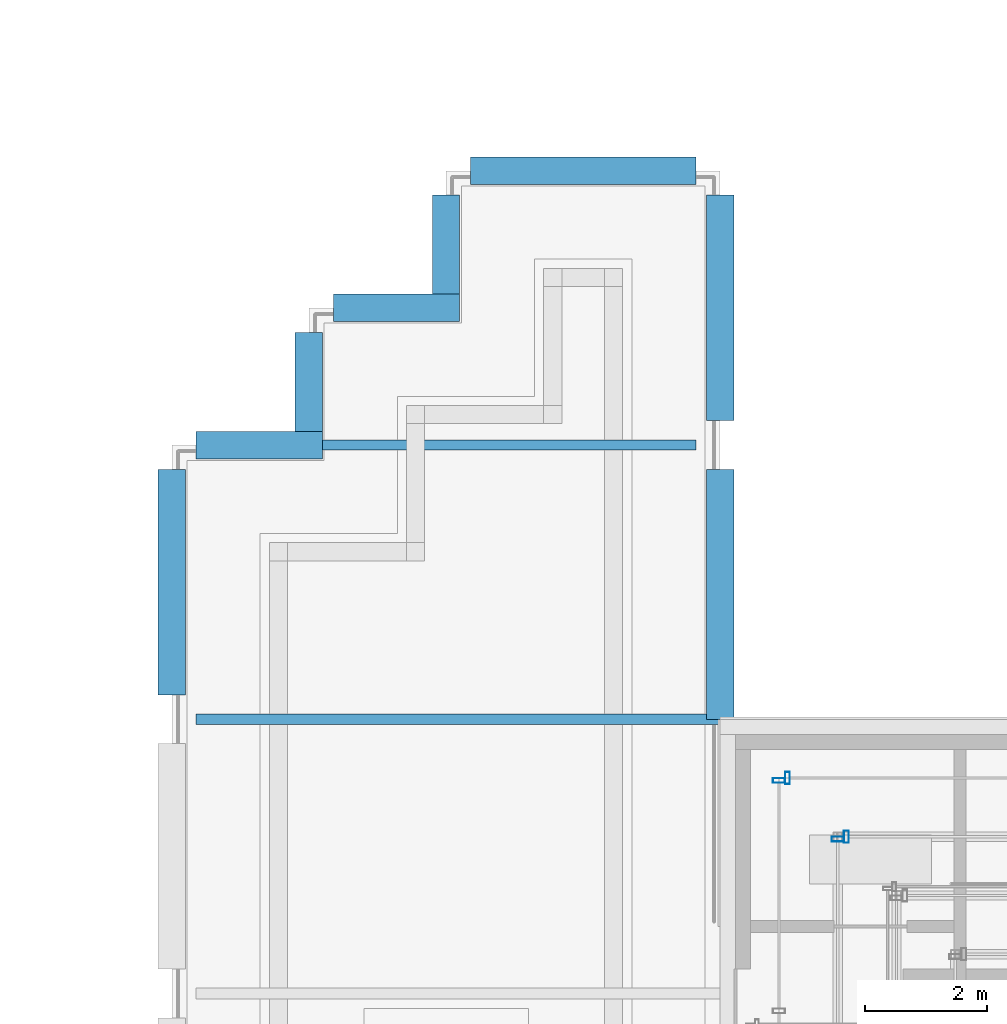
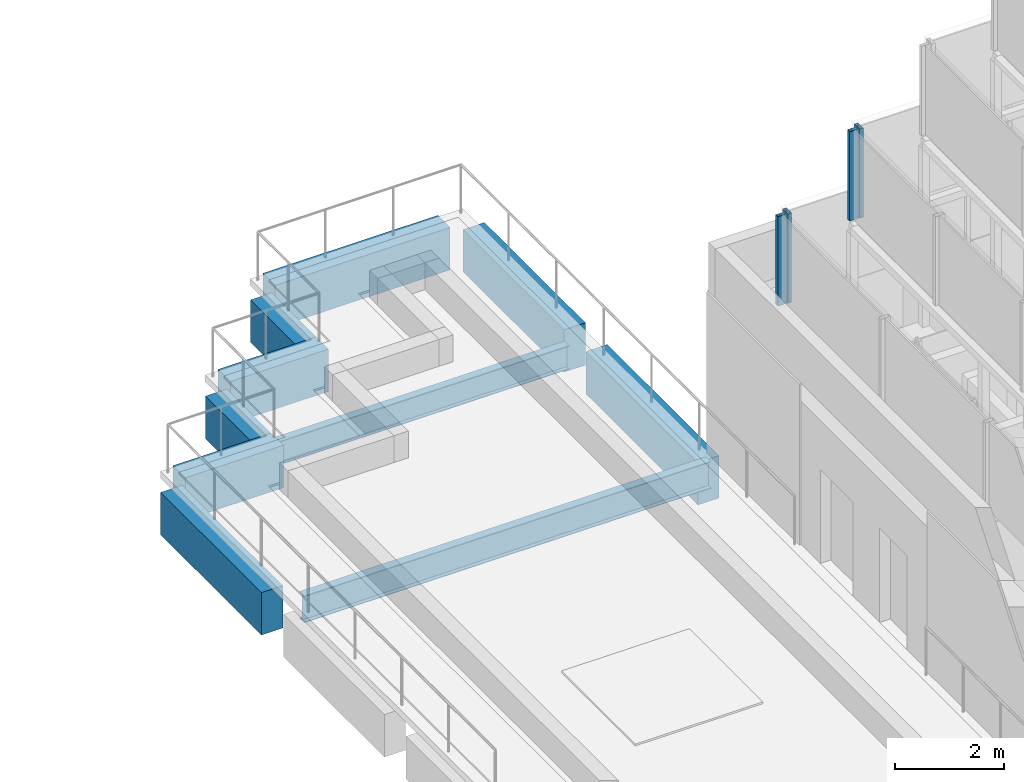
# One storey, part 46 of 62: 10 beams, 4 members, 4 elements without a shape of their own.
"""IFC4 building model written with IfcOpenShell, lengths in metres."""

from ifc_helpers import new_model, si_unit, direction, frame, origin, origin_2d, place, context, subcontext, project, spatial, rectangle, hollow_rectangle, i_section, extrude, material, material_profile, profile_set, type_object, element, aggregate, save


model = new_model("IFC4")

# Units and contexts
model_context = context("Model", 3, precision=1e-05, world=origin(), true_north=direction((0.0, 1.0)))
body_context = subcontext(model_context, "Body", "Model", "MODEL_VIEW")
ifc_project = project(units=[si_unit("LENGTHUNIT", "METRE"), si_unit("AREAUNIT", "SQUARE_METRE"), si_unit("VOLUMEUNIT", "CUBIC_METRE"), si_unit("PLANEANGLEUNIT", "RADIAN"), si_unit("MASSUNIT", "GRAM", prefix="KILO")], contexts=[model_context])

# Site, building, storey
site_placement = place(None, origin())
site = spatial("IfcSite", under=ifc_project, at=site_placement, CompositionType="ELEMENT")
building_placement = place(site_placement, origin())
building = spatial("IfcBuilding", under=site, at=building_placement, Name="Altepetl Exchange Towers", CompositionType="ELEMENT")
storey_placement = place(building_placement, frame((0.0, 0.0, 210.0)))
storey = spatial("IfcBuildingStorey", under=building, at=storey_placement, Name="L53", CompositionType="ELEMENT", Elevation=210.0)

# Beams
ifc_material_1 = material(Name="Steel S355", Category="steel")
ifc_material_profile_1 = material_profile(ifc_material_1, i_section(OverallWidth=0.166015625, OverallDepth=0.529052734375, WebThickness=0.009765625, FlangeThickness=0.013671875, at=origin_2d()), Name="W21X50")
ifc_profile_set_1 = profile_set([ifc_material_profile_1], Name="Steel S355")
beam_type_1 = type_object("IfcBeamType", Name="Floor beam W21X50", PredefinedType="BEAM", material=ifc_profile_set_1)
beam_1_placement = place(storey_placement, frame((96.97509765625, 54.0, -0.41455078125), z_axis=(1.0, 0.0, 0.0), x_axis=(0.0, 1.0, 0.0)))
element("IfcBeam", 1, at=beam_1_placement, inside=storey, type_object=beam_type_1, Name="bm:B:L53:t007", PredefinedType="BEAM", context=body_context, shape_type="SweptSolid", body=[
    extrude(i_section(OverallWidth=0.166015625, OverallDepth=0.529052734375, WebThickness=0.009765625, FlangeThickness=0.013671875, at=origin_2d()), origin(), (0.0, 0.0, 1.0), 6.125),
])
ifc_material_profile_2 = material_profile(ifc_material_1, i_section(OverallWidth=0.177978515625, OverallDepth=0.59912109375, WebThickness=0.010009765625, FlangeThickness=0.0126953125, at=origin_2d()), Name="W24X55")
ifc_profile_set_2 = profile_set([ifc_material_profile_2], Name="Steel S355")
beam_type_2 = type_object("IfcBeamType", Name="Floor beam W24X55", PredefinedType="BEAM", material=ifc_profile_set_2)
beam_2_placement = place(storey_placement, frame((94.89990234375, 49.5, -0.449462890625), z_axis=(1.0, 0.0, 0.0), x_axis=(0.0, 1.0, 0.0)))
element("IfcBeam", 2, at=beam_2_placement, inside=storey, type_object=beam_type_2, Name="bm:B:L53:t006", PredefinedType="BEAM", context=body_context, shape_type="SweptSolid", body=[
    extrude(i_section(OverallWidth=0.177978515625, OverallDepth=0.59912109375, WebThickness=0.010009765625, FlangeThickness=0.0126953125, at=origin_2d()), origin(), (0.0, 0.0, 1.0), 8.60009765625),
])

# Curtain wall, member
ifc_material_2 = material(Name="Aluminium 6063-T6 glazing", Category="aluminium")
curtain_wall_type = type_object("IfcCurtainWallType", Name="Crown glazing system", PredefinedType="NOTDEFINED", material=ifc_material_2)
curtain_wall_1_placement = place(storey_placement, origin())
curtain_wall_1 = element("IfcCurtainWall", 3, at=curtain_wall_1_placement, inside=storey, type_object=curtain_wall_type, Name="CW7 run", PredefinedType="NOTDEFINED")
ifc_material_3 = material(Name="Aluminium 6063-T6", Category="aluminium")
ifc_material_profile_3 = material_profile(ifc_material_3, hollow_rectangle(XDim=0.080078125, YDim=0.199951171875, WallThickness=0.0029296875, at=origin_2d()), Name="Mullion 80x200 hollow aluminium")
ifc_profile_set_3 = profile_set([ifc_material_profile_3], Name="Aluminium 6063-T6")
member_type = type_object("IfcMemberType", Name="Mullion 80x200 hollow aluminium", PredefinedType="MULLION", material=ifc_profile_set_3)
member_1_placement = place(storey_placement, frame((104.604248046875, 48.53564453125, 3.60009765625), z_axis=(0.0, 0.0, 1.0), x_axis=(-1.0, 0.0, 0.0)))
member_1 = element("IfcMember", 4, at=member_1_placement, type_object=member_type, Name="MU5 mullion", PredefinedType="MULLION", context=body_context, shape_type="SweptSolid", body=[
    extrude(hollow_rectangle(XDim=0.080078125, YDim=0.199951171875, WallThickness=0.0029296875, at=origin_2d()), origin(), (0.0, 0.0, 1.0), 2.0),
])
aggregate(curtain_wall_1, [member_1])

curtain_wall_2_placement = place(storey_placement, origin())
curtain_wall_2 = element("IfcCurtainWall", 5, at=curtain_wall_2_placement, inside=storey, type_object=curtain_wall_type, Name="CW7 run", PredefinedType="NOTDEFINED")
member_2_placement = place(storey_placement, frame((104.46435546875, 48.49560546875, 3.60009765625), z_axis=(0.0, 0.0, 1.0), x_axis=(0.0, -1.0, 0.0)))
member_2 = element("IfcMember", 6, at=member_2_placement, type_object=member_type, Name="MU5 mullion", PredefinedType="MULLION", context=body_context, shape_type="SweptSolid", body=[
    extrude(hollow_rectangle(XDim=0.080078125, YDim=0.199951171875, WallThickness=0.0029296875, at=origin_2d()), origin(), (0.0, 0.0, 1.0), 2.0),
])
aggregate(curtain_wall_2, [member_2])

curtain_wall_3_placement = place(storey_placement, origin())
curtain_wall_3 = element("IfcCurtainWall", 7, at=curtain_wall_3_placement, inside=storey, type_object=curtain_wall_type, Name="CW7 run", PredefinedType="NOTDEFINED")
member_3_placement = place(storey_placement, frame((105.568603515625, 47.571533203125, 5.75), z_axis=(0.0, 0.0, 1.0), x_axis=(-1.0, 0.0, 0.0)))
member_3 = element("IfcMember", 8, at=member_3_placement, type_object=member_type, Name="MU5 mullion", PredefinedType="MULLION", context=body_context, shape_type="SweptSolid", body=[
    extrude(hollow_rectangle(XDim=0.080078125, YDim=0.199951171875, WallThickness=0.0029296875, at=origin_2d()), origin(), (0.0, 0.0, 1.0), 2.0),
])
aggregate(curtain_wall_3, [member_3])

curtain_wall_4_placement = place(storey_placement, origin())
curtain_wall_4 = element("IfcCurtainWall", 9, at=curtain_wall_4_placement, inside=storey, type_object=curtain_wall_type, Name="CW7 run", PredefinedType="NOTDEFINED")
member_4_placement = place(storey_placement, frame((105.428466796875, 47.531494140625, 5.75), z_axis=(0.0, 0.0, 1.0), x_axis=(0.0, -1.0, 0.0)))
member_4 = element("IfcMember", 10, at=member_4_placement, type_object=member_type, Name="MU5 mullion", PredefinedType="MULLION", context=body_context, shape_type="SweptSolid", body=[
    extrude(hollow_rectangle(XDim=0.080078125, YDim=0.199951171875, WallThickness=0.0029296875, at=origin_2d()), origin(), (0.0, 0.0, 1.0), 2.0),
])
aggregate(curtain_wall_4, [member_4])

# Beams
ifc_material_4 = material(Name="Concrete C50/60 precast with cantera rosa facing", Category="concrete")
ifc_material_profile_4 = material_profile(ifc_material_4, rectangle(XDim=0.449951171875, YDim=0.949951171875, at=origin_2d()), Name="450 x 950")
ifc_profile_set_4 = profile_set([ifc_material_profile_4], Name="Concrete C50/60 precast with cantera rosa facing")
beam_type_3 = type_object("IfcBeamType", Name="Spandrel beam 450x950 cantera rosa", PredefinedType="SPANDREL", material=ifc_profile_set_4)
beam_3_placement = place(storey_placement, frame((103.5, 49.5, -0.625), z_axis=(0.0, 1.0, 0.0), x_axis=(-1.0, 0.0, 0.0)))
element("IfcBeam", 11, at=beam_3_placement, inside=storey, type_object=beam_type_3, Name="sp:B:L53:t008", PredefinedType="SPANDREL", context=body_context, shape_type="SweptSolid", body=[
    extrude(rectangle(XDim=0.449951171875, YDim=0.949951171875, at=origin_2d()), origin(), (0.0, 0.0, 1.0), 4.10009765625),
])
for number, where, z_axis, x_axis, name in (
    (12, (103.5, 54.39990234375, -0.625), (0.0, 1.0, 0.0), (-1.0, 0.0, 0.0), "sp:B:L53:t009"),
    (13, (103.10009765625, 58.5, -0.625), (-1.0, 0.0, 0.0), (0.0, -1.0, 0.0), "sp:B:L53:t010"),
):
    element("IfcBeam", number, at=place(storey_placement, frame(where, z_axis=z_axis, x_axis=x_axis)), inside=storey, type_object=beam_type_3, Name=name, PredefinedType="SPANDREL", context=body_context, shape_type="SweptSolid", body=[
        extrude(rectangle(XDim=0.449951171875, YDim=0.949951171875, at=origin_2d()), origin(), (0.0, 0.0, 1.0), 3.7001953125),
    ])
beam_4_placement = place(storey_placement, frame((99.0, 58.10009765625, -0.625), z_axis=(0.0, -1.0, 0.0), x_axis=(1.0, 0.0, 0.0)))
element("IfcBeam", 14, at=beam_4_placement, inside=storey, type_object=beam_type_3, Name="sp:B:L53:t011", PredefinedType="SPANDREL", context=body_context, shape_type="SweptSolid", body=[
    extrude(rectangle(XDim=0.449951171875, YDim=0.949951171875, at=origin_2d()), origin(), (0.0, 0.0, 1.0), 1.625),
])
beam_5_placement = place(storey_placement, frame((99.22509765625, 56.25, -0.625), z_axis=(-1.0, 0.0, 0.0), x_axis=(0.0, -1.0, 0.0)))
element("IfcBeam", 15, at=beam_5_placement, inside=storey, type_object=beam_type_3, Name="sp:B:L53:t012", PredefinedType="SPANDREL", context=body_context, shape_type="SweptSolid", body=[
    extrude(rectangle(XDim=0.449951171875, YDim=0.949951171875, at=origin_2d()), origin(), (0.0, 0.0, 1.0), 2.0751953125),
])
beam_6_placement = place(storey_placement, frame((96.75, 55.85009765625, -0.625), z_axis=(0.0, -1.0, 0.0), x_axis=(1.0, 0.0, 0.0)))
element("IfcBeam", 16, at=beam_6_placement, inside=storey, type_object=beam_type_3, Name="sp:B:L53:t013", PredefinedType="SPANDREL", context=body_context, shape_type="SweptSolid", body=[
    extrude(rectangle(XDim=0.449951171875, YDim=0.949951171875, at=origin_2d()), origin(), (0.0, 0.0, 1.0), 1.625),
])
beam_7_placement = place(storey_placement, frame((96.97509765625, 54.0, -0.625), z_axis=(-1.0, 0.0, 0.0), x_axis=(0.0, -1.0, 0.0)))
element("IfcBeam", 17, at=beam_7_placement, inside=storey, type_object=beam_type_3, Name="sp:B:L53:t014", PredefinedType="SPANDREL", context=body_context, shape_type="SweptSolid", body=[
    extrude(rectangle(XDim=0.449951171875, YDim=0.949951171875, at=origin_2d()), origin(), (0.0, 0.0, 1.0), 2.0751953125),
])
beam_8_placement = place(storey_placement, frame((94.5, 53.60009765625, -0.625), z_axis=(0.0, -1.0, 0.0), x_axis=(1.0, 0.0, 0.0)))
element("IfcBeam", 18, at=beam_8_placement, inside=storey, type_object=beam_type_3, Name="sp:B:L53:t015", PredefinedType="SPANDREL", context=body_context, shape_type="SweptSolid", body=[
    extrude(rectangle(XDim=0.449951171875, YDim=0.949951171875, at=origin_2d()), origin(), (0.0, 0.0, 1.0), 3.7001953125),
])

save(model, "model.ifc")
